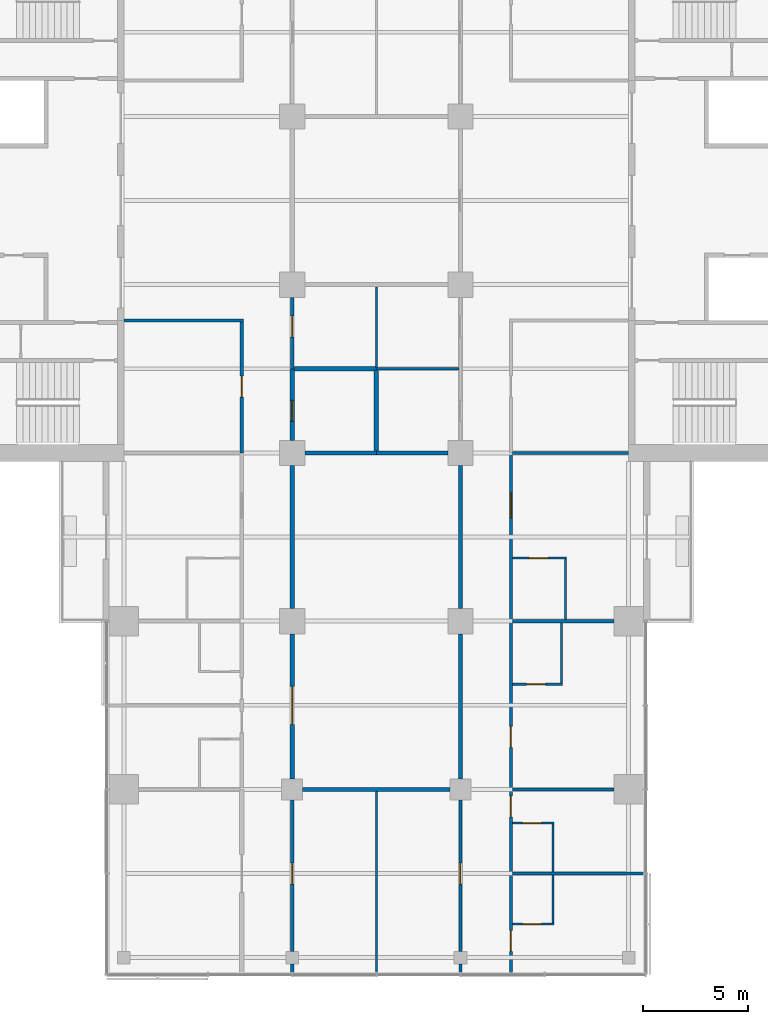
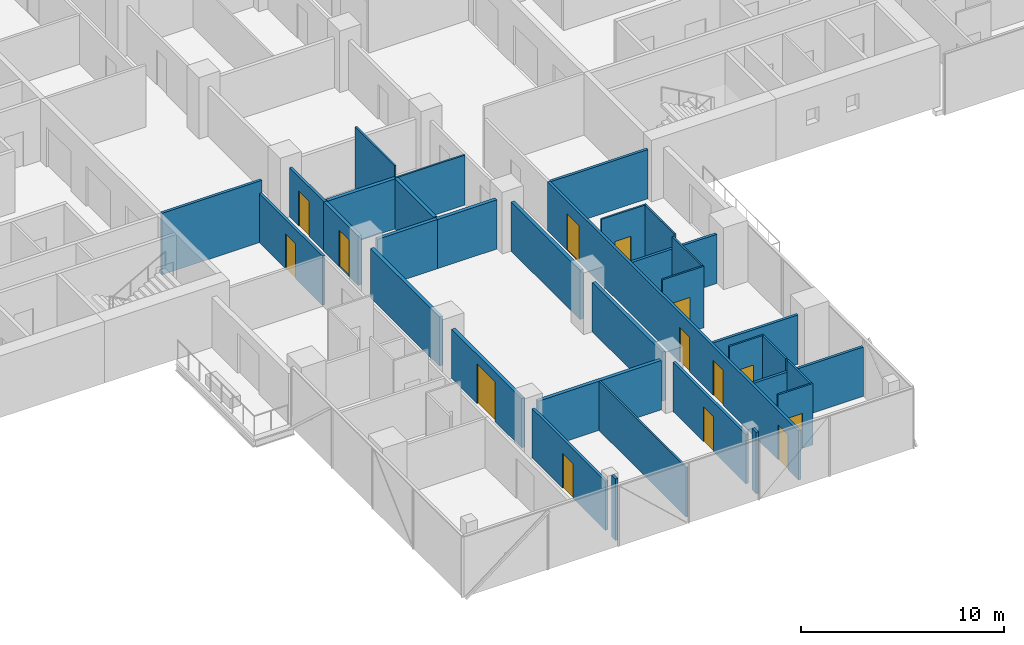
# One storey, part 16 of 27: 33 walls, 14 doors, 14 openings.
"""IFC4 building model written with IfcOpenShell, lengths in metres."""

from ifc_helpers import new_model, si_unit, direction, frame, frame_2d, origin, place, context, subcontext, project, spatial, rectangle, extrude, material, layer, layer_set, type_object, element, fill, save


model = new_model("IFC4")

# Units and contexts
model_context = context("Model", 3, precision=1e-05, world=origin(), true_north=direction((0.0, 1.0)))
body_context = subcontext(model_context, "Body", "Model", "MODEL_VIEW")
ifc_project = project(units=[si_unit("LENGTHUNIT", "METRE"), si_unit("AREAUNIT", "SQUARE_METRE"), si_unit("VOLUMEUNIT", "CUBIC_METRE"), si_unit("PLANEANGLEUNIT", "RADIAN"), si_unit("MASSUNIT", "GRAM", prefix="KILO")], contexts=[model_context])

# Site, building, storey
site_placement = place(None, origin())
site = spatial("IfcSite", under=ifc_project, at=site_placement, CompositionType="ELEMENT")
building_placement = place(site_placement, origin())
building = spatial("IfcBuilding", under=site, at=building_placement, Name="Crosswind Convention Tower", CompositionType="ELEMENT")
storey_placement = place(building_placement, frame((0.0, 0.0, 68.300048828125)))
storey = spatial("IfcBuildingStorey", under=building, at=storey_placement, Name="L11", CompositionType="ELEMENT", Elevation=68.300048828125)

# Walls
ifc_material_1 = material(Name="Concrete blockwork", Category="masonry")
ifc_layer_1 = layer(ifc_material_1, 0.199951171875)
ifc_layer_set_1 = layer_set([ifc_layer_1], Name="COMPARTMENT WALL 200")
wall_type_1 = type_object("IfcWallType", Name="COMPARTMENT WALL 200", PredefinedType="SOLIDWALL", material=ifc_layer_set_1)
wall_1_placement = place(storey_placement, frame((121.60009765625, 88.0, 0.0), z_axis=(0.0, 0.0, 1.0), x_axis=(1.0, 0.0, 0.0)))
element("IfcWall", 1, at=wall_1_placement, inside=storey, type_object=wall_type_1, Name="Compartment Wall 16", PredefinedType="SOLIDWALL", context=body_context, shape_type="SweptSolid", body=[
    extrude(rectangle(XDim=3.39990234375, YDim=0.199951171875, at=frame_2d((1.699951171875, 0.0))), origin(), (0.0, 0.0, 1.0), 2.959716796875),
])
wall_2_placement = place(storey_placement, frame((121.074951171875, 92.0, 0.0), z_axis=(0.0, 0.0, 1.0), x_axis=(1.0, 0.0, 0.0)))
element("IfcWall", 2, at=wall_2_placement, inside=storey, type_object=wall_type_1, Name="Compartment Wall 22", PredefinedType="SOLIDWALL", context=body_context, shape_type="SweptSolid", body=[
    extrude(rectangle(XDim=3.925048828125, YDim=0.199951171875, at=frame_2d((1.96240234375, 0.0))), origin(), (0.0, 0.0, 1.0), 3.013671875),
])

# Wall, opening, door
wall_3_placement = place(storey_placement, frame((121.0, 88.60009765625, 0.0), z_axis=(0.0, 0.0, 1.0), x_axis=(0.0, 1.0, 0.0)))
wall_3 = element("IfcWall", 3, at=wall_3_placement, inside=storey, type_object=wall_type_1, Name="Compartment Wall 91", PredefinedType="SOLIDWALL", context=body_context, shape_type="SweptSolid", body=[
    extrude(rectangle(XDim=3.39990234375, YDim=0.199951171875, at=frame_2d((1.699951171875, 0.0))), origin(), (0.0, 0.0, 1.0), 2.959716796875),
])
opening_1_placement = place(wall_3_placement, frame((0.89990234375, 0.0, 0.0)))
opening_1 = element("IfcOpeningElement", 4, at=opening_1_placement, cuts=wall_3, Name="Opening 11.060", PredefinedType="OPENING", context=body_context, shape_type="SweptSolid", body=[
    extrude(rectangle(XDim=1.0, YDim=2.199951171875, at=frame_2d((0.5, 1.10009765625))), frame((0.0, 0.10986328125, 0.0), z_axis=(0.0, -1.0, 0.0), x_axis=(1.0, 0.0, 0.0)), (0.0, 0.0, 1.0), 0.219970703125),
])
ifc_material_2 = material(Name="Steel fire door", Category="steel")
door_type_1 = type_object("IfcDoorType", Name="PLANT ROOM DOOR 1000X2200", OperationType="NOTDEFINED", PredefinedType="DOOR", material=ifc_material_2)
door_1_placement = place(opening_1_placement, frame((1.0, 0.0, 0.0), z_axis=(0.0, 0.0, 1.0), x_axis=(-1.0, 0.0, 0.0)))
door_1 = element("IfcDoor", 5, at=door_1_placement, inside=storey, type_object=door_type_1, Name="Door 11.060", ObjectType="D6", OperationType="SINGLE_SWING_RIGHT", OverallHeight=2.199951171875, OverallWidth=1.0, PredefinedType="DOOR", context=body_context, shape_type="SweptSolid", body=[
    extrude(rectangle(XDim=1.0, YDim=2.199951171875, at=frame_2d((0.5, 1.10009765625))), frame((0.0, 0.02490234375, 0.0), z_axis=(0.0, -1.0, 0.0), x_axis=(1.0, 0.0, 0.0)), (0.0, 0.0, 1.0), 0.050048828125),
])
fill(opening_1, door_1)

# Walls
wall_4_placement = place(storey_placement, frame((125.0, 88.10009765625, 0.0), z_axis=(0.0, 0.0, 1.0), x_axis=(0.0, 1.0, 0.0)))
element("IfcWall", 6, at=wall_4_placement, inside=storey, type_object=wall_type_1, Name="Compartment Wall 100", PredefinedType="SOLIDWALL", context=body_context, shape_type="SweptSolid", body=[
    extrude(rectangle(XDim=3.849853515625, YDim=0.199951171875, at=frame_2d((1.9248046875, 0.0))), origin(), (0.0, 0.0, 1.0), 3.013671875),
])
ifc_material_3 = material(Name="Plasterboard partition", Category="gypsum")
ifc_layer_2 = layer(ifc_material_3, 0.14990234375)
ifc_layer_set_2 = layer_set([ifc_layer_2], Name="CORRIDOR WALL 150")
wall_type_2 = type_object("IfcWallType", Name="CORRIDOR WALL 150", PredefinedType="PARTITIONING", material=ifc_layer_set_2)
wall_5_placement = place(storey_placement, frame((113.0, 94.300048828125, 0.0), z_axis=(0.0, 0.0, 1.0), x_axis=(1.0, 0.0, 0.0)))
element("IfcWall", 7, at=wall_5_placement, inside=storey, type_object=wall_type_2, Name="Corridor Wall 25", PredefinedType="PARTITIONING", context=body_context, shape_type="SweptSolid", body=[
    extrude(rectangle(XDim=5.675048828125, YDim=0.14990234375, at=frame_2d((2.83740234375, 0.0))), origin(), (0.0, 0.0, 1.0), 3.699951171875),
])

# Wall, opening, door
wall_6_placement = place(storey_placement, frame((118.60009765625, 88.0, 0.0), z_axis=(0.0, 0.0, 1.0), x_axis=(0.0, 1.0, 0.0)))
wall_6 = element("IfcWall", 8, at=wall_6_placement, inside=storey, type_object=wall_type_2, Name="Corridor Wall 84", PredefinedType="PARTITIONING", context=body_context, shape_type="SweptSolid", body=[
    extrude(rectangle(XDim=6.22509765625, YDim=0.14990234375, at=frame_2d((3.112548828125, 0.0))), origin(), (0.0, 0.0, 1.0), 2.956298828125),
])
opening_2_placement = place(wall_6_placement, frame((2.64990234375, 0.0, 0.0)))
opening_2 = element("IfcOpeningElement", 9, at=opening_2_placement, cuts=wall_6, Name="Opening 11.004", PredefinedType="OPENING", context=body_context, shape_type="SweptSolid", body=[
    extrude(rectangle(XDim=1.0, YDim=2.10009765625, at=frame_2d((0.5, 1.050048828125))), frame((0.0, 0.0849609375, 0.0), z_axis=(0.0, -1.0, 0.0), x_axis=(1.0, 0.0, 0.0)), (0.0, 0.0, 1.0), 0.169921875),
])
ifc_material_4 = material(Name="Timber fire door", Category="wood")
door_type_2 = type_object("IfcDoorType", Name="SERVICE ROOM DOOR 1000X2100", OperationType="NOTDEFINED", PredefinedType="DOOR", material=ifc_material_4)
door_2_placement = place(opening_2_placement, origin())
door_2 = element("IfcDoor", 10, at=door_2_placement, inside=storey, type_object=door_type_2, Name="Door 11.004", ObjectType="D3", OperationType="SINGLE_SWING_RIGHT", OverallHeight=2.10009765625, OverallWidth=1.0, PredefinedType="DOOR", context=body_context, shape_type="SweptSolid", body=[
    extrude(rectangle(XDim=1.0, YDim=2.10009765625, at=frame_2d((0.5, 1.050048828125))), frame((0.0, 0.02490234375, 0.0), z_axis=(0.0, -1.0, 0.0), x_axis=(1.0, 0.0, 0.0)), (0.0, 0.0, 1.0), 0.050048828125),
])
fill(opening_2, door_2)

# Wall
wall_7_placement = place(storey_placement, frame((121.0, 63.300048828125, 0.0), z_axis=(0.0, 0.0, 1.0), x_axis=(0.0, 1.0, 0.0)))
element("IfcWall", 11, at=wall_7_placement, inside=storey, type_object=wall_type_2, Name="Corridor Wall 87", PredefinedType="PARTITIONING", context=body_context, shape_type="SweptSolid", body=[
    extrude(rectangle(XDim=0.39990234375, YDim=0.14990234375, at=frame_2d((0.199951171875, 0.0))), origin(), (0.0, 0.0, 1.0), 3.699951171875),
])

# Wall, opening, door
wall_8_placement = place(storey_placement, frame((121.0, 64.300048828125, 0.0), z_axis=(0.0, 0.0, 1.0), x_axis=(0.0, 1.0, 0.0)))
wall_8 = element("IfcWall", 12, at=wall_8_placement, inside=storey, type_object=wall_type_2, Name="Corridor Wall 88", PredefinedType="PARTITIONING", context=body_context, shape_type="SweptSolid", body=[
    extrude(rectangle(XDim=7.199951171875, YDim=0.14990234375, at=frame_2d((3.60009765625, 0.0))), origin(), (0.0, 0.0, 1.0), 2.959716796875),
])
opening_3_placement = place(wall_8_placement, frame((3.199951171875, 0.0, 0.0)))
opening_3 = element("IfcOpeningElement", 13, at=opening_3_placement, cuts=wall_8, Name="Opening 11.057", PredefinedType="OPENING", context=body_context, shape_type="SweptSolid", body=[
    extrude(rectangle(XDim=1.0, YDim=2.10009765625, at=frame_2d((0.5, 1.050048828125))), frame((0.0, 0.0849609375, 0.0), z_axis=(0.0, -1.0, 0.0), x_axis=(1.0, 0.0, 0.0)), (0.0, 0.0, 1.0), 0.169921875),
])
door_3_placement = place(opening_3_placement, frame((1.0, 0.0, 0.0), z_axis=(0.0, 0.0, 1.0), x_axis=(-1.0, 0.0, 0.0)))
door_3 = element("IfcDoor", 14, at=door_3_placement, inside=storey, type_object=door_type_2, Name="Door 11.057", ObjectType="D3", OperationType="SINGLE_SWING_LEFT", OverallHeight=2.10009765625, OverallWidth=1.0, PredefinedType="DOOR", context=body_context, shape_type="SweptSolid", body=[
    extrude(rectangle(XDim=1.0, YDim=2.10009765625, at=frame_2d((0.5, 1.050048828125))), frame((0.0, 0.02490234375, 0.0), z_axis=(0.0, -1.0, 0.0), x_axis=(1.0, 0.0, 0.0)), (0.0, 0.0, 1.0), 0.050048828125),
])
fill(opening_3, door_3)

wall_9_placement = place(storey_placement, frame((121.0, 92.0, 0.0), z_axis=(0.0, 0.0, 1.0), x_axis=(0.0, 1.0, 0.0)))
wall_9 = element("IfcWall", 15, at=wall_9_placement, inside=storey, type_object=wall_type_2, Name="Corridor Wall 92", PredefinedType="PARTITIONING", context=body_context, shape_type="SweptSolid", body=[
    extrude(rectangle(XDim=3.39990234375, YDim=0.14990234375, at=frame_2d((1.699951171875, 0.0))), origin(), (0.0, 0.0, 1.0), 2.959716796875),
])
opening_4_placement = place(wall_9_placement, frame((1.5, 0.0, 0.0)))
opening_4 = element("IfcOpeningElement", 16, at=opening_4_placement, cuts=wall_9, Name="Opening 11.061", PredefinedType="OPENING", context=body_context, shape_type="SweptSolid", body=[
    extrude(rectangle(XDim=1.0, YDim=2.10009765625, at=frame_2d((0.5, 1.050048828125))), frame((0.0, 0.0849609375, 0.0), z_axis=(0.0, -1.0, 0.0), x_axis=(1.0, 0.0, 0.0)), (0.0, 0.0, 1.0), 0.169921875),
])
door_4_placement = place(opening_4_placement, frame((1.0, 0.0, 0.0), z_axis=(0.0, 0.0, 1.0), x_axis=(-1.0, 0.0, 0.0)))
door_4 = element("IfcDoor", 17, at=door_4_placement, inside=storey, type_object=door_type_2, Name="Door 11.061", ObjectType="D3", OperationType="SINGLE_SWING_LEFT", OverallHeight=2.10009765625, OverallWidth=1.0, PredefinedType="DOOR", context=body_context, shape_type="SweptSolid", body=[
    extrude(rectangle(XDim=1.0, YDim=2.10009765625, at=frame_2d((0.5, 1.050048828125))), frame((0.0, 0.02490234375, 0.0), z_axis=(0.0, -1.0, 0.0), x_axis=(1.0, 0.0, 0.0)), (0.0, 0.0, 1.0), 0.050048828125),
])
fill(opening_4, door_4)

# Wall
wall_10_placement = place(storey_placement, frame((129.0, 63.300048828125, 0.0), z_axis=(0.0, 0.0, 1.0), x_axis=(0.0, 1.0, 0.0)))
element("IfcWall", 18, at=wall_10_placement, inside=storey, type_object=wall_type_2, Name="Corridor Wall 104", PredefinedType="PARTITIONING", context=body_context, shape_type="SweptSolid", body=[
    extrude(rectangle(XDim=0.39990234375, YDim=0.14990234375, at=frame_2d((0.199951171875, 0.0))), origin(), (0.0, 0.0, 1.0), 3.699951171875),
])

# Wall, opening, door
wall_11_placement = place(storey_placement, frame((129.0, 64.300048828125, 0.0), z_axis=(0.0, 0.0, 1.0), x_axis=(0.0, 1.0, 0.0)))
wall_11 = element("IfcWall", 19, at=wall_11_placement, inside=storey, type_object=wall_type_2, Name="Corridor Wall 105", PredefinedType="PARTITIONING", context=body_context, shape_type="SweptSolid", body=[
    extrude(rectangle(XDim=7.199951171875, YDim=0.14990234375, at=frame_2d((3.60009765625, 0.0))), origin(), (0.0, 0.0, 1.0), 2.959716796875),
])
opening_5_placement = place(wall_11_placement, frame((3.199951171875, 0.0, 0.0)))
opening_5 = element("IfcOpeningElement", 20, at=opening_5_placement, cuts=wall_11, Name="Opening 11.058", PredefinedType="OPENING", context=body_context, shape_type="SweptSolid", body=[
    extrude(rectangle(XDim=1.0, YDim=2.10009765625, at=frame_2d((0.5, 1.050048828125))), frame((0.0, 0.0849609375, 0.0), z_axis=(0.0, -1.0, 0.0), x_axis=(1.0, 0.0, 0.0)), (0.0, 0.0, 1.0), 0.169921875),
])
door_5_placement = place(opening_5_placement, origin())
door_5 = element("IfcDoor", 21, at=door_5_placement, inside=storey, type_object=door_type_2, Name="Door 11.058", ObjectType="D3", OperationType="SINGLE_SWING_RIGHT", OverallHeight=2.10009765625, OverallWidth=1.0, PredefinedType="DOOR", context=body_context, shape_type="SweptSolid", body=[
    extrude(rectangle(XDim=1.0, YDim=2.10009765625, at=frame_2d((0.5, 1.050048828125))), frame((0.0, 0.02490234375, 0.0), z_axis=(0.0, -1.0, 0.0), x_axis=(1.0, 0.0, 0.0)), (0.0, 0.0, 1.0), 0.050048828125),
])
fill(opening_5, door_5)

# Walls
ifc_material_5 = material(Name="Acoustic plasterboard partition", Category="gypsum")
ifc_layer_3 = layer(ifc_material_5, 0.14990234375)
ifc_layer_set_3 = layer_set([ifc_layer_3], Name="GUEST ROOM WALL 150")
wall_type_3 = type_object("IfcWallType", Name="GUEST ROOM WALL 150", PredefinedType="PARTITIONING", material=ifc_layer_set_3)
wall_12_placement = place(storey_placement, frame((131.47509765625, 68.0, 0.0), z_axis=(0.0, 0.0, 1.0), x_axis=(1.0, 0.0, 0.0)))
element("IfcWall", 22, at=wall_12_placement, inside=storey, type_object=wall_type_3, Name="Guest Room Wall 2", PredefinedType="PARTITIONING", context=body_context, shape_type="SweptSolid", body=[
    extrude(rectangle(XDim=6.224853515625, YDim=0.14990234375, at=frame_2d((3.1123046875, 0.0))), origin(), (0.0, 0.0, 1.0), 2.962646484375),
])
for number, where, z_axis, x_axis, name in (
    (23, (131.47509765625, 72.0, 0.0), (0.0, 0.0, 1.0), (1.0, 0.0, 0.0), "Guest Room Wall 6"),
    (24, (131.47509765625, 80.0, 0.0), (0.0, 0.0, 1.0), (1.0, 0.0, 0.0), "Guest Room Wall 12"),
):
    element("IfcWall", number, at=place(storey_placement, frame(where, z_axis=z_axis, x_axis=x_axis)), inside=storey, type_object=wall_type_3, Name=name, PredefinedType="PARTITIONING", context=body_context, shape_type="SweptSolid", body=[
        extrude(rectangle(XDim=4.824951171875, YDim=0.14990234375, at=frame_2d((2.41259765625, 0.0))), origin(), (0.0, 0.0, 1.0), 2.959716796875),
    ])
wall_13_placement = place(storey_placement, frame((131.47509765625, 88.0, 0.0), z_axis=(0.0, 0.0, 1.0), x_axis=(1.0, 0.0, 0.0)))
element("IfcWall", 25, at=wall_13_placement, inside=storey, type_object=wall_type_3, Name="Guest Room Wall 18", PredefinedType="PARTITIONING", context=body_context, shape_type="SweptSolid", body=[
    extrude(rectangle(XDim=5.52490234375, YDim=0.14990234375, at=frame_2d((2.762451171875, 0.0))), origin(), (0.0, 0.0, 1.0), 2.956298828125),
])

# Wall, openings, doors
wall_14_placement = place(storey_placement, frame((131.39990234375, 63.300048828125, 0.0), z_axis=(0.0, 0.0, 1.0), x_axis=(0.0, 1.0, 0.0)))
wall_14 = element("IfcWall", 26, at=wall_14_placement, inside=storey, type_object=wall_type_3, Name="Guest Room Wall 115", PredefinedType="PARTITIONING", context=body_context, shape_type="SweptSolid", body=[
    extrude(rectangle(XDim=24.699951171875, YDim=0.14990234375, at=frame_2d((12.35009765625, 0.0))), origin(), (0.0, 0.0, 1.0), 2.956298828125),
])
opening_6_placement = place(wall_14_placement, frame((21.60009765625, 0.0, 0.0)))
opening_6 = element("IfcOpeningElement", 27, at=opening_6_placement, cuts=wall_14, Name="Opening 11.020", PredefinedType="OPENING", context=body_context, shape_type="SweptSolid", body=[
    extrude(rectangle(XDim=1.199951171875, YDim=2.199951171875, at=frame_2d((0.60009765625, 1.10009765625))), frame((0.0, 0.0849609375, 0.0), z_axis=(0.0, -1.0, 0.0), x_axis=(1.0, 0.0, 0.0)), (0.0, 0.0, 1.0), 0.169921875),
])
opening_7_placement = place(wall_14_placement, frame((10.699951171875, 0.0, 0.0)))
opening_7 = element("IfcOpeningElement", 28, at=opening_7_placement, cuts=wall_14, Name="Opening 11.022", PredefinedType="OPENING", context=body_context, shape_type="SweptSolid", body=[
    extrude(rectangle(XDim=1.0, YDim=2.10009765625, at=frame_2d((0.5, 1.050048828125))), frame((0.0, 0.0849609375, 0.0), z_axis=(0.0, -1.0, 0.0), x_axis=(1.0, 0.0, 0.0)), (0.0, 0.0, 1.0), 0.169921875),
])
opening_8_placement = place(wall_14_placement, frame((7.39990234375, 0.0, 0.0)))
opening_8 = element("IfcOpeningElement", 29, at=opening_8_placement, cuts=wall_14, Name="Opening 11.024", PredefinedType="OPENING", context=body_context, shape_type="SweptSolid", body=[
    extrude(rectangle(XDim=1.0, YDim=2.10009765625, at=frame_2d((0.5, 1.050048828125))), frame((0.0, 0.0849609375, 0.0), z_axis=(0.0, -1.0, 0.0), x_axis=(1.0, 0.0, 0.0)), (0.0, 0.0, 1.0), 0.169921875),
])
opening_9_placement = place(wall_14_placement, frame((1.0, 0.0, 0.0)))
opening_9 = element("IfcOpeningElement", 30, at=opening_9_placement, cuts=wall_14, Name="Opening 11.026", PredefinedType="OPENING", context=body_context, shape_type="SweptSolid", body=[
    extrude(rectangle(XDim=1.0, YDim=2.10009765625, at=frame_2d((0.5, 1.050048828125))), frame((0.0, 0.0849609375, 0.0), z_axis=(0.0, -1.0, 0.0), x_axis=(1.0, 0.0, 0.0)), (0.0, 0.0, 1.0), 0.169921875),
])
door_type_3 = type_object("IfcDoorType", Name="GUEST ROOM DOOR 1000X2100", OperationType="NOTDEFINED", PredefinedType="DOOR", material=ifc_material_4)
door_6_placement = place(opening_7_placement, frame((1.0, 0.0, 0.0), z_axis=(0.0, 0.0, 1.0), x_axis=(-1.0, 0.0, 0.0)))
door_6 = element("IfcDoor", 31, at=door_6_placement, inside=storey, type_object=door_type_3, Name="Door 11.022", ObjectType="D1", OperationType="SINGLE_SWING_LEFT", OverallHeight=2.10009765625, OverallWidth=1.0, PredefinedType="DOOR", context=body_context, shape_type="SweptSolid", body=[
    extrude(rectangle(XDim=1.0, YDim=2.10009765625, at=frame_2d((0.5, 1.050048828125))), frame((0.0, 0.02490234375, 0.0), z_axis=(0.0, -1.0, 0.0), x_axis=(1.0, 0.0, 0.0)), (0.0, 0.0, 1.0), 0.050048828125),
])
fill(opening_7, door_6)
door_7_placement = place(opening_8_placement, frame((1.0, 0.0, 0.0), z_axis=(0.0, 0.0, 1.0), x_axis=(-1.0, 0.0, 0.0)))
door_7 = element("IfcDoor", 32, at=door_7_placement, inside=storey, type_object=door_type_3, Name="Door 11.024", ObjectType="D1", OperationType="SINGLE_SWING_LEFT", OverallHeight=2.10009765625, OverallWidth=1.0, PredefinedType="DOOR", context=body_context, shape_type="SweptSolid", body=[
    extrude(rectangle(XDim=1.0, YDim=2.10009765625, at=frame_2d((0.5, 1.050048828125))), frame((0.0, 0.02490234375, 0.0), z_axis=(0.0, -1.0, 0.0), x_axis=(1.0, 0.0, 0.0)), (0.0, 0.0, 1.0), 0.050048828125),
])
fill(opening_8, door_7)
door_8_placement = place(opening_9_placement, frame((1.0, 0.0, 0.0), z_axis=(0.0, 0.0, 1.0), x_axis=(-1.0, 0.0, 0.0)))
door_8 = element("IfcDoor", 33, at=door_8_placement, inside=storey, type_object=door_type_3, Name="Door 11.026", ObjectType="D1", OperationType="SINGLE_SWING_LEFT", OverallHeight=2.10009765625, OverallWidth=1.0, PredefinedType="DOOR", context=body_context, shape_type="SweptSolid", body=[
    extrude(rectangle(XDim=1.0, YDim=2.10009765625, at=frame_2d((0.5, 1.050048828125))), frame((0.0, 0.02490234375, 0.0), z_axis=(0.0, -1.0, 0.0), x_axis=(1.0, 0.0, 0.0)), (0.0, 0.0, 1.0), 0.050048828125),
])
fill(opening_9, door_8)
door_type_4 = type_object("IfcDoorType", Name="SUITE DOOR 1200X2200", OperationType="DOUBLE_DOOR_SINGLE_SWING", PredefinedType="DOOR", material=ifc_material_4)
door_9_placement = place(opening_6_placement, frame((1.199951171875, 0.0, 0.0), z_axis=(0.0, 0.0, 1.0), x_axis=(-1.0, 0.0, 0.0)))
door_9 = element("IfcDoor", 34, at=door_9_placement, inside=storey, type_object=door_type_4, Name="Door 11.020", ObjectType="D14", OperationType="DOUBLE_DOOR_SINGLE_SWING", OverallHeight=2.199951171875, OverallWidth=1.199951171875, PredefinedType="DOOR", context=body_context, shape_type="SweptSolid", body=[
    extrude(rectangle(XDim=1.199951171875, YDim=2.199951171875, at=frame_2d((0.60009765625, 1.10009765625))), frame((0.0, 0.02490234375, 0.0), z_axis=(0.0, -1.0, 0.0), x_axis=(1.0, 0.0, 0.0)), (0.0, 0.0, 1.0), 0.050048828125),
])
fill(opening_6, door_9)

# Walls
ifc_material_6 = material(Name="Double plasterboard partition", Category="gypsum")
ifc_layer_4 = layer(ifc_material_6, 0.199951171875)
ifc_layer_set_4 = layer_set([ifc_layer_4], Name="HALL WALL 200")
wall_type_4 = type_object("IfcWallType", Name="HALL WALL 200", PredefinedType="PARTITIONING", material=ifc_layer_set_4)
wall_15_placement = place(storey_placement, frame((121.5, 72.0, 0.0), z_axis=(0.0, 0.0, 1.0), x_axis=(1.0, 0.0, 0.0)))
element("IfcWall", 35, at=wall_15_placement, inside=storey, type_object=wall_type_4, Name="Hall Wall 5", PredefinedType="PARTITIONING", context=body_context, shape_type="SweptSolid", body=[
    extrude(rectangle(XDim=7.0, YDim=0.199951171875, at=frame_2d((3.5, 0.0))), origin(), (0.0, 0.0, 1.0), 2.959716796875),
])
wall_16_placement = place(storey_placement, frame((125.0, 88.0, 0.0), z_axis=(0.0, 0.0, 1.0), x_axis=(1.0, 0.0, 0.0)))
element("IfcWall", 36, at=wall_16_placement, inside=storey, type_object=wall_type_4, Name="Hall Wall 17", PredefinedType="PARTITIONING", context=body_context, shape_type="SweptSolid", body=[
    extrude(rectangle(XDim=3.39990234375, YDim=0.199951171875, at=frame_2d((1.699951171875, 0.0))), origin(), (0.0, 0.0, 1.0), 2.959716796875),
])

# Wall, opening, door
wall_17_placement = place(storey_placement, frame((121.0, 72.5, 0.0), z_axis=(0.0, 0.0, 1.0), x_axis=(0.0, 1.0, 0.0)))
wall_17 = element("IfcWall", 37, at=wall_17_placement, inside=storey, type_object=wall_type_4, Name="Hall Wall 89", PredefinedType="PARTITIONING", context=body_context, shape_type="SweptSolid", body=[
    extrude(rectangle(XDim=6.89990234375, YDim=0.199951171875, at=frame_2d((3.449951171875, 0.0))), origin(), (0.0, 0.0, 1.0), 2.959716796875),
])
opening_10_placement = place(wall_17_placement, frame((2.60009765625, 0.0, 0.0)))
opening_10 = element("IfcOpeningElement", 38, at=opening_10_placement, cuts=wall_17, Name="Opening 11.059", PredefinedType="OPENING", context=body_context, shape_type="SweptSolid", body=[
    extrude(rectangle(XDim=1.800048828125, YDim=2.39990234375, at=frame_2d((0.89990234375, 1.199951171875))), frame((0.0, 0.10986328125, 0.0), z_axis=(0.0, -1.0, 0.0), x_axis=(1.0, 0.0, 0.0)), (0.0, 0.0, 1.0), 0.219970703125),
])
door_type_5 = type_object("IfcDoorType", Name="HALL DOUBLE DOOR 1800X2400", OperationType="DOUBLE_DOOR_SINGLE_SWING", PredefinedType="DOOR", material=ifc_material_4)
door_10_placement = place(opening_10_placement, origin())
door_10 = element("IfcDoor", 39, at=door_10_placement, inside=storey, type_object=door_type_5, Name="Door 11.059", ObjectType="D5", OperationType="DOUBLE_DOOR_SINGLE_SWING", OverallHeight=2.39990234375, OverallWidth=1.800048828125, PredefinedType="DOOR", context=body_context, shape_type="SweptSolid", body=[
    extrude(rectangle(XDim=1.800048828125, YDim=2.39990234375, at=frame_2d((0.89990234375, 1.199951171875))), frame((0.0, 0.02490234375, 0.0), z_axis=(0.0, -1.0, 0.0), x_axis=(1.0, 0.0, 0.0)), (0.0, 0.0, 1.0), 0.050048828125),
])
fill(opening_10, door_10)

# Walls
wall_18_placement = place(storey_placement, frame((121.0, 80.60009765625, 0.0), z_axis=(0.0, 0.0, 1.0), x_axis=(0.0, 1.0, 0.0)))
element("IfcWall", 40, at=wall_18_placement, inside=storey, type_object=wall_type_4, Name="Hall Wall 90", PredefinedType="PARTITIONING", context=body_context, shape_type="SweptSolid", body=[
    extrude(rectangle(XDim=6.7998046875, YDim=0.199951171875, at=frame_2d((3.39990234375, 0.0))), origin(), (0.0, 0.0, 1.0), 2.959716796875),
])
wall_19_placement = place(storey_placement, frame((129.0, 72.5, 0.0), z_axis=(0.0, 0.0, 1.0), x_axis=(0.0, 1.0, 0.0)))
element("IfcWall", 41, at=wall_19_placement, inside=storey, type_object=wall_type_4, Name="Hall Wall 106", PredefinedType="PARTITIONING", context=body_context, shape_type="SweptSolid", body=[
    extrude(rectangle(XDim=6.89990234375, YDim=0.199951171875, at=frame_2d((3.449951171875, 0.0))), origin(), (0.0, 0.0, 1.0), 2.959716796875),
])
wall_20_placement = place(storey_placement, frame((129.0, 80.60009765625, 0.0), z_axis=(0.0, 0.0, 1.0), x_axis=(0.0, 1.0, 0.0)))
element("IfcWall", 42, at=wall_20_placement, inside=storey, type_object=wall_type_4, Name="Hall Wall 107", PredefinedType="PARTITIONING", context=body_context, shape_type="SweptSolid", body=[
    extrude(rectangle(XDim=6.7998046875, YDim=0.199951171875, at=frame_2d((3.39990234375, 0.0))), origin(), (0.0, 0.0, 1.0), 2.959716796875),
])
ifc_layer_5 = layer(ifc_material_3, 0.10009765625)
ifc_layer_set_5 = layer_set([ifc_layer_5], Name="PARTITION 100")
wall_type_5 = type_object("IfcWallType", Name="PARTITION 100", PredefinedType="PARTITIONING", material=ifc_layer_set_5)
wall_21_placement = place(storey_placement, frame((125.0, 92.0, 0.0), z_axis=(0.0, 0.0, 1.0), x_axis=(1.0, 0.0, 0.0)))
element("IfcWall", 43, at=wall_21_placement, inside=storey, type_object=wall_type_5, Name="Partition 23", PredefinedType="PARTITIONING", context=body_context, shape_type="SweptSolid", body=[
    extrude(rectangle(XDim=3.925048828125, YDim=0.10009765625, at=frame_2d((1.96240234375, 0.0))), origin(), (0.0, 0.0, 1.0), 3.013671875),
])
wall_22_placement = place(storey_placement, frame((125.0, 63.300048828125, 0.0), z_axis=(0.0, 0.0, 1.0), x_axis=(0.0, 1.0, 0.0)))
element("IfcWall", 44, at=wall_22_placement, inside=storey, type_object=wall_type_5, Name="Partition 99", PredefinedType="PARTITIONING", context=body_context, shape_type="SweptSolid", body=[
    extrude(rectangle(XDim=8.599853515625, YDim=0.10009765625, at=frame_2d((4.2998046875, 0.0))), origin(), (0.0, 0.0, 1.0), 2.962646484375),
])
wall_23_placement = place(storey_placement, frame((125.0, 92.050048828125, 0.0), z_axis=(0.0, 0.0, 1.0), x_axis=(0.0, 1.0, 0.0)))
element("IfcWall", 45, at=wall_23_placement, inside=storey, type_object=wall_type_5, Name="Partition 101", PredefinedType="PARTITIONING", context=body_context, shape_type="SweptSolid", body=[
    extrude(rectangle(XDim=3.849853515625, YDim=0.10009765625, at=frame_2d((1.9248046875, 0.0))), origin(), (0.0, 0.0, 1.0), 3.699951171875),
])

# Wall, opening, door
ifc_material_7 = material(Name="Water-resistant plasterboard partition", Category="gypsum")
ifc_layer_6 = layer(ifc_material_7, 0.10009765625)
ifc_layer_set_6 = layer_set([ifc_layer_6], Name="WET ROOM PARTITION 100")
wall_type_6 = type_object("IfcWallType", Name="WET ROOM PARTITION 100", PredefinedType="PLUMBINGWALL", material=ifc_layer_set_6)
wall_24_placement = place(storey_placement, frame((131.47509765625, 65.60009765625, 0.0), z_axis=(0.0, 0.0, 1.0), x_axis=(1.0, 0.0, 0.0)))
wall_24 = element("IfcWall", 46, at=wall_24_placement, inside=storey, type_object=wall_type_6, Name="Wet Room Partition 1", PredefinedType="PLUMBINGWALL", context=body_context, shape_type="SweptSolid", body=[
    extrude(rectangle(XDim=1.974853515625, YDim=0.10009765625, at=frame_2d((0.9873046875, 0.0))), origin(), (0.0, 0.0, 1.0), 3.699951171875),
])
opening_11_placement = place(wall_24_placement, frame((0.47509765625, 0.0, 0.0)))
opening_11 = element("IfcOpeningElement", 47, at=opening_11_placement, cuts=wall_24, Name="Opening 11.027", PredefinedType="OPENING", context=body_context, shape_type="SweptSolid", body=[
    extrude(rectangle(XDim=0.89990234375, YDim=2.10009765625, at=frame_2d((0.449951171875, 1.050048828125))), frame((0.0, 0.06005859375, 0.0), z_axis=(0.0, -1.0, 0.0), x_axis=(1.0, 0.0, 0.0)), (0.0, 0.0, 1.0), 0.1201171875),
])
ifc_material_8 = material(Name="Timber door", Category="wood")
door_type_6 = type_object("IfcDoorType", Name="EN-SUITE DOOR 900X2100", OperationType="NOTDEFINED", PredefinedType="DOOR", material=ifc_material_8)
door_11_placement = place(opening_11_placement, origin())
door_11 = element("IfcDoor", 48, at=door_11_placement, inside=storey, type_object=door_type_6, Name="Door 11.027", ObjectType="D2", OperationType="SINGLE_SWING_RIGHT", OverallHeight=2.10009765625, OverallWidth=0.89990234375, PredefinedType="DOOR", context=body_context, shape_type="SweptSolid", body=[
    extrude(rectangle(XDim=0.89990234375, YDim=2.10009765625, at=frame_2d((0.449951171875, 1.050048828125))), frame((0.0, 0.02490234375, 0.0), z_axis=(0.0, -1.0, 0.0), x_axis=(1.0, 0.0, 0.0)), (0.0, 0.0, 1.0), 0.050048828125),
])
fill(opening_11, door_11)

wall_25_placement = place(storey_placement, frame((131.47509765625, 70.39990234375, 0.0), z_axis=(0.0, 0.0, 1.0), x_axis=(1.0, 0.0, 0.0)))
wall_25 = element("IfcWall", 49, at=wall_25_placement, inside=storey, type_object=wall_type_6, Name="Wet Room Partition 3", PredefinedType="PLUMBINGWALL", context=body_context, shape_type="SweptSolid", body=[
    extrude(rectangle(XDim=1.974853515625, YDim=0.10009765625, at=frame_2d((0.9873046875, 0.0))), origin(), (0.0, 0.0, 1.0), 3.699951171875),
])
opening_12_placement = place(wall_25_placement, frame((0.47509765625, 0.0, 0.0)))
opening_12 = element("IfcOpeningElement", 50, at=opening_12_placement, cuts=wall_25, Name="Opening 11.025", PredefinedType="OPENING", context=body_context, shape_type="SweptSolid", body=[
    extrude(rectangle(XDim=0.89990234375, YDim=2.10009765625, at=frame_2d((0.449951171875, 1.050048828125))), frame((0.0, 0.06005859375, 0.0), z_axis=(0.0, -1.0, 0.0), x_axis=(1.0, 0.0, 0.0)), (0.0, 0.0, 1.0), 0.1201171875),
])
door_12_placement = place(opening_12_placement, frame((0.89990234375, 0.0, 0.0), z_axis=(0.0, 0.0, 1.0), x_axis=(-1.0, 0.0, 0.0)))
door_12 = element("IfcDoor", 51, at=door_12_placement, inside=storey, type_object=door_type_6, Name="Door 11.025", ObjectType="D2", OperationType="SINGLE_SWING_LEFT", OverallHeight=2.10009765625, OverallWidth=0.89990234375, PredefinedType="DOOR", context=body_context, shape_type="SweptSolid", body=[
    extrude(rectangle(XDim=0.89990234375, YDim=2.10009765625, at=frame_2d((0.449951171875, 1.050048828125))), frame((0.0, 0.02490234375, 0.0), z_axis=(0.0, -1.0, 0.0), x_axis=(1.0, 0.0, 0.0)), (0.0, 0.0, 1.0), 0.050048828125),
])
fill(opening_12, door_12)

wall_26_placement = place(storey_placement, frame((131.47509765625, 77.0, 0.0), z_axis=(0.0, 0.0, 1.0), x_axis=(1.0, 0.0, 0.0)))
wall_26 = element("IfcWall", 52, at=wall_26_placement, inside=storey, type_object=wall_type_6, Name="Wet Room Partition 9", PredefinedType="PLUMBINGWALL", context=body_context, shape_type="SweptSolid", body=[
    extrude(rectangle(XDim=2.375, YDim=0.10009765625, at=frame_2d((1.1875, 0.0))), origin(), (0.0, 0.0, 1.0), 3.699951171875),
])
opening_13_placement = place(wall_26_placement, frame((0.675048828125, 0.0, 0.0)))
opening_13 = element("IfcOpeningElement", 53, at=opening_13_placement, cuts=wall_26, Name="Opening 11.023", PredefinedType="OPENING", context=body_context, shape_type="SweptSolid", body=[
    extrude(rectangle(XDim=0.89990234375, YDim=2.10009765625, at=frame_2d((0.449951171875, 1.050048828125))), frame((0.0, 0.06005859375, 0.0), z_axis=(0.0, -1.0, 0.0), x_axis=(1.0, 0.0, 0.0)), (0.0, 0.0, 1.0), 0.1201171875),
])
door_13_placement = place(opening_13_placement, origin())
door_13 = element("IfcDoor", 54, at=door_13_placement, inside=storey, type_object=door_type_6, Name="Door 11.023", ObjectType="D2", OperationType="SINGLE_SWING_RIGHT", OverallHeight=2.10009765625, OverallWidth=0.89990234375, PredefinedType="DOOR", context=body_context, shape_type="SweptSolid", body=[
    extrude(rectangle(XDim=0.89990234375, YDim=2.10009765625, at=frame_2d((0.449951171875, 1.050048828125))), frame((0.0, 0.02490234375, 0.0), z_axis=(0.0, -1.0, 0.0), x_axis=(1.0, 0.0, 0.0)), (0.0, 0.0, 1.0), 0.050048828125),
])
fill(opening_13, door_13)

wall_27_placement = place(storey_placement, frame((131.47509765625, 83.0, 0.0), z_axis=(0.0, 0.0, 1.0), x_axis=(1.0, 0.0, 0.0)))
wall_27 = element("IfcWall", 55, at=wall_27_placement, inside=storey, type_object=wall_type_6, Name="Wet Room Partition 14", PredefinedType="PLUMBINGWALL", context=body_context, shape_type="SweptSolid", body=[
    extrude(rectangle(XDim=2.574951171875, YDim=0.10009765625, at=frame_2d((1.28759765625, 0.0))), origin(), (0.0, 0.0, 1.0), 3.699951171875),
])
opening_14_placement = place(wall_27_placement, frame((0.77490234375, 0.0, 0.0)))
opening_14 = element("IfcOpeningElement", 56, at=opening_14_placement, cuts=wall_27, Name="Opening 11.021", PredefinedType="OPENING", context=body_context, shape_type="SweptSolid", body=[
    extrude(rectangle(XDim=0.89990234375, YDim=2.10009765625, at=frame_2d((0.449951171875, 1.050048828125))), frame((0.0, 0.06005859375, 0.0), z_axis=(0.0, -1.0, 0.0), x_axis=(1.0, 0.0, 0.0)), (0.0, 0.0, 1.0), 0.1201171875),
])
door_14_placement = place(opening_14_placement, frame((0.89990234375, 0.0, 0.0), z_axis=(0.0, 0.0, 1.0), x_axis=(-1.0, 0.0, 0.0)))
door_14 = element("IfcDoor", 57, at=door_14_placement, inside=storey, type_object=door_type_6, Name="Door 11.021", ObjectType="D2", OperationType="SINGLE_SWING_LEFT", OverallHeight=2.10009765625, OverallWidth=0.89990234375, PredefinedType="DOOR", context=body_context, shape_type="SweptSolid", body=[
    extrude(rectangle(XDim=0.89990234375, YDim=2.10009765625, at=frame_2d((0.449951171875, 1.050048828125))), frame((0.0, 0.02490234375, 0.0), z_axis=(0.0, -1.0, 0.0), x_axis=(1.0, 0.0, 0.0)), (0.0, 0.0, 1.0), 0.050048828125),
])
fill(opening_14, door_14)

# Walls
for number, where, z_axis, x_axis, name in (
    (58, (133.39990234375, 65.64990234375, 0.0), (0.0, 0.0, 1.0), (0.0, 1.0, 0.0), "Wet Room Partition 120"),
    (59, (133.39990234375, 68.074951171875, 0.0), (0.0, 0.0, 1.0), (0.0, 1.0, 0.0), "Wet Room Partition 121"),
):
    element("IfcWall", number, at=place(storey_placement, frame(where, z_axis=z_axis, x_axis=x_axis)), inside=storey, type_object=wall_type_6, Name=name, PredefinedType="PLUMBINGWALL", context=body_context, shape_type="SweptSolid", body=[
        extrude(rectangle(XDim=2.275146484375, YDim=0.10009765625, at=frame_2d((1.1376953125, 0.0))), origin(), (0.0, 0.0, 1.0), 3.699951171875),
    ])
for number, where, z_axis, x_axis, name in (
    (60, (133.800048828125, 77.050048828125, 0.0), (0.0, 0.0, 1.0), (0.0, 1.0, 0.0), "Wet Room Partition 124"),
    (61, (134.0, 80.074951171875, 0.0), (0.0, 0.0, 1.0), (0.0, 1.0, 0.0), "Wet Room Partition 125"),
):
    element("IfcWall", number, at=place(storey_placement, frame(where, z_axis=z_axis, x_axis=x_axis)), inside=storey, type_object=wall_type_6, Name=name, PredefinedType="PLUMBINGWALL", context=body_context, shape_type="SweptSolid", body=[
        extrude(rectangle(XDim=2.875, YDim=0.10009765625, at=frame_2d((1.4375, 0.0))), origin(), (0.0, 0.0, 1.0), 3.699951171875),
    ])

save(model, "model.ifc")
